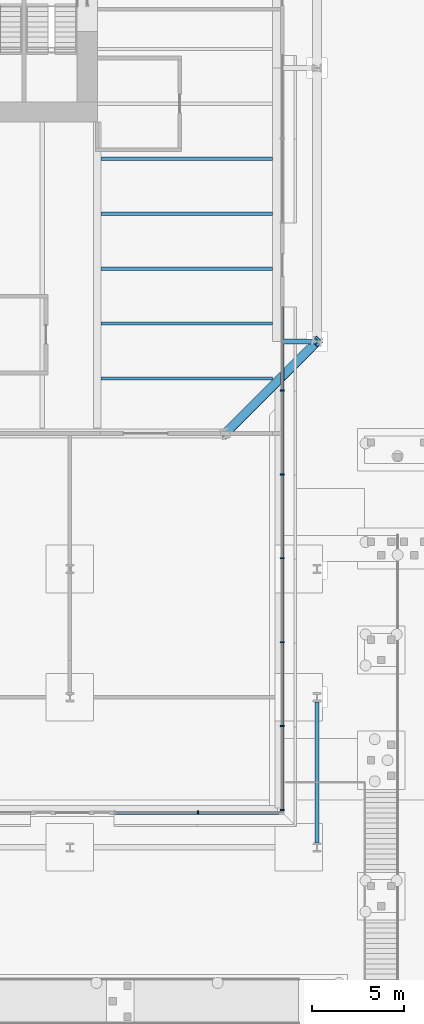
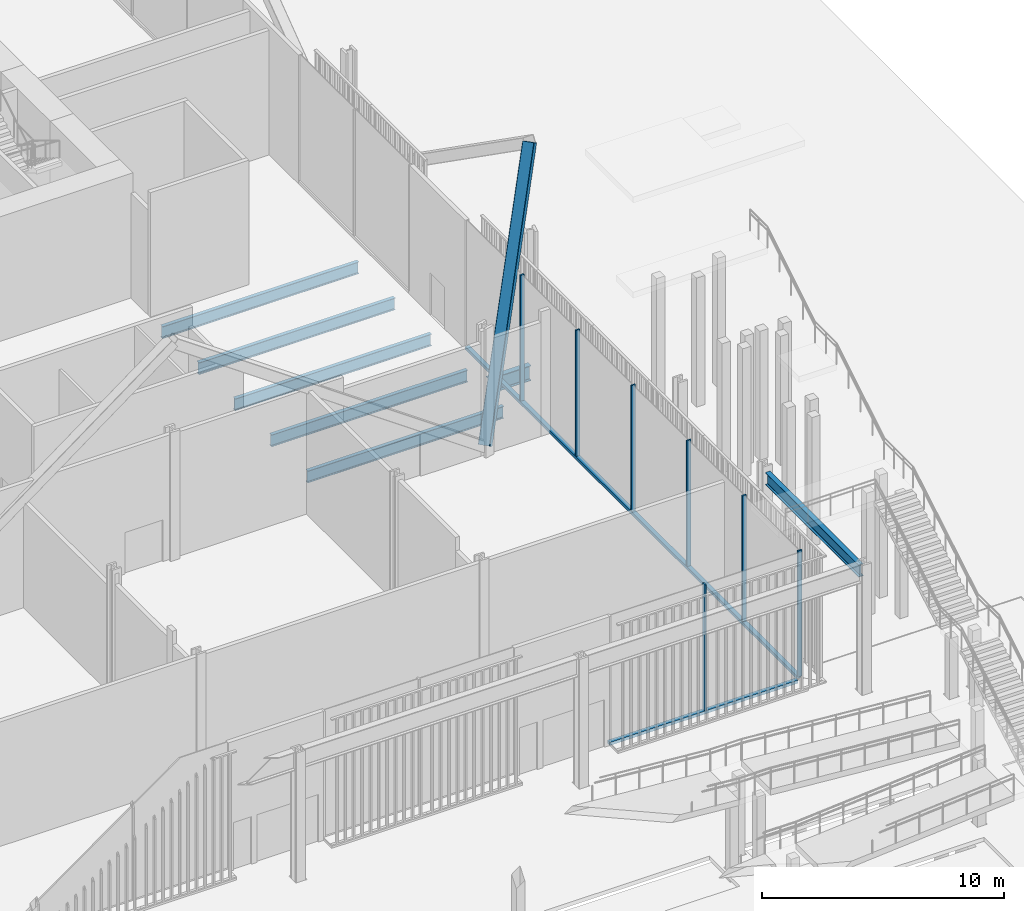
# One storey, part 7 of 28: 10 members, 7 beams, 2 elements without a shape of their own.
"""IFC4 building model written with IfcOpenShell, lengths in metres."""

from ifc_helpers import new_model, si_unit, direction, frame, origin, origin_2d, place, context, subcontext, project, spatial, rectangle, hollow_rectangle, i_section, extrude, material, layer, layer_set, material_profile, profile_set, type_object, element, aggregate, save


model = new_model("IFC4")

# Units and contexts
model_context = context("Model", 3, precision=1e-05, world=origin(), true_north=direction((0.0, 1.0)))
body_context = subcontext(model_context, "Body", "Model", "MODEL_VIEW")
ifc_project = project(units=[si_unit("LENGTHUNIT", "METRE"), si_unit("AREAUNIT", "SQUARE_METRE"), si_unit("VOLUMEUNIT", "CUBIC_METRE"), si_unit("PLANEANGLEUNIT", "RADIAN"), si_unit("MASSUNIT", "GRAM", prefix="KILO")], contexts=[model_context])

# Site, building, storey
site_placement = place(None, origin())
site = spatial("IfcSite", under=ifc_project, at=site_placement, CompositionType="ELEMENT")
building_placement = place(site_placement, origin())
building = spatial("IfcBuilding", under=site, at=building_placement, Name="Millrace Tower", CompositionType="ELEMENT")
storey_placement = place(building_placement, origin())
storey = spatial("IfcBuildingStorey", under=building, at=storey_placement, Name="L01", CompositionType="ELEMENT", Elevation=0.0)

# Curtain wall, member
ifc_material_1 = material(Name="Aluminium and glass", Category="aluminium")
ifc_layer = layer(ifc_material_1, 0.199951171875)
ifc_layer_set = layer_set([ifc_layer], Name="Aluminium and glass")
curtain_wall_type = type_object("IfcCurtainWallType", Name="CW-6 lobby and cascade wing storefront", PredefinedType="NOTDEFINED", material=ifc_layer_set)
placement = place(storey_placement, origin())
curtain_wall_1 = element("IfcCurtainWall", 1, at=placement, inside=storey, type_object=curtain_wall_type, Name="Curtain wall AW1-F01 L01", PredefinedType="NOTDEFINED")
ifc_material_2 = material(Name="Aluminium", Category="aluminium")
ifc_material_profile_1 = material_profile(ifc_material_2, rectangle(XDim=0.074951171875, YDim=0.199951171875, at=origin_2d()))
ifc_profile_set_1 = profile_set([ifc_material_profile_1], Name="Aluminium")
member_type_1 = type_object("IfcMemberType", Name="CW-6 lobby and cascade wing storefront mullion", PredefinedType="MULLION", material=ifc_profile_set_1)
member_1_placement = place(storey_placement, frame((20.491943359375, -47.699951171875, 0.14990234375), z_axis=(0.0, 0.0, 1.0), x_axis=(1.0, 0.0, 0.0)))
member_1 = element("IfcMember", 2, at=member_1_placement, type_object=member_type_1, Name="CW6 mullion AW1-F01.11", PredefinedType="MULLION", context=body_context, shape_type="SweptSolid", body=[
    extrude(rectangle(XDim=0.074951171875, YDim=0.199951171875, at=origin_2d()), origin(), (0.0, 0.0, 1.0), 6.35009765625),
])

# Curtain wall, members
curtain_wall_2 = element("IfcCurtainWall", 3, at=placement, inside=storey, type_object=curtain_wall_type, Name="Curtain wall AW1-F02 L01", PredefinedType="NOTDEFINED")
member_2_placement = place(storey_placement, frame((25.10009765625, -47.5625, 0.14990234375), z_axis=(0.0, 0.0, 1.0), x_axis=(0.0, 1.0, 0.0)))
member_2 = element("IfcMember", 4, at=member_2_placement, type_object=member_type_1, Name="CW6 mullion AW1-F02.1", PredefinedType="MULLION", context=body_context, shape_type="SweptSolid", body=[
    extrude(rectangle(XDim=0.074951171875, YDim=0.199951171875, at=origin_2d()), origin(), (0.0, 0.0, 1.0), 6.35009765625),
])
member_3_placement = place(storey_placement, frame((25.10009765625, -42.979248046875, 0.14990234375), z_axis=(0.0, 0.0, 1.0), x_axis=(0.0, 1.0, 0.0)))
member_3 = element("IfcMember", 5, at=member_3_placement, type_object=member_type_1, Name="CW6 mullion AW1-F02.2", PredefinedType="MULLION", context=body_context, shape_type="SweptSolid", body=[
    extrude(rectangle(XDim=0.074951171875, YDim=0.199951171875, at=origin_2d()), origin(), (0.0, 0.0, 1.0), 6.35009765625),
])
member_4_placement = place(storey_placement, frame((25.10009765625, -38.395751953125, 0.14990234375), z_axis=(0.0, 0.0, 1.0), x_axis=(0.0, 1.0, 0.0)))
member_4 = element("IfcMember", 6, at=member_4_placement, type_object=member_type_1, Name="CW6 mullion AW1-F02.3", PredefinedType="MULLION", context=body_context, shape_type="SweptSolid", body=[
    extrude(rectangle(XDim=0.074951171875, YDim=0.199951171875, at=origin_2d()), origin(), (0.0, 0.0, 1.0), 6.35009765625),
])
member_5_placement = place(storey_placement, frame((25.10009765625, -33.8125, 0.14990234375), z_axis=(0.0, 0.0, 1.0), x_axis=(0.0, 1.0, 0.0)))
member_5 = element("IfcMember", 7, at=member_5_placement, type_object=member_type_1, Name="CW6 mullion AW1-F02.4", PredefinedType="MULLION", context=body_context, shape_type="SweptSolid", body=[
    extrude(rectangle(XDim=0.074951171875, YDim=0.199951171875, at=origin_2d()), origin(), (0.0, 0.0, 1.0), 6.35009765625),
])
member_6_placement = place(storey_placement, frame((25.10009765625, -29.229248046875, 0.14990234375), z_axis=(0.0, 0.0, 1.0), x_axis=(0.0, 1.0, 0.0)))
member_6 = element("IfcMember", 8, at=member_6_placement, type_object=member_type_1, Name="CW6 mullion AW1-F02.5", PredefinedType="MULLION", context=body_context, shape_type="SweptSolid", body=[
    extrude(rectangle(XDim=0.074951171875, YDim=0.199951171875, at=origin_2d()), origin(), (0.0, 0.0, 1.0), 6.35009765625),
])
member_7_placement = place(storey_placement, frame((25.10009765625, -24.645751953125, 0.14990234375), z_axis=(0.0, 0.0, 1.0), x_axis=(0.0, 1.0, 0.0)))
member_7 = element("IfcMember", 9, at=member_7_placement, type_object=member_type_1, Name="CW6 mullion AW1-F02.6", PredefinedType="MULLION", context=body_context, shape_type="SweptSolid", body=[
    extrude(rectangle(XDim=0.074951171875, YDim=0.199951171875, at=origin_2d()), origin(), (0.0, 0.0, 1.0), 6.35009765625),
])

# Member
ifc_material_3 = material(Name="Aluminium", Category="aluminium")
ifc_material_profile_2 = material_profile(ifc_material_3, rectangle(XDim=0.199951171875, YDim=0.14990234375, at=origin_2d()))
ifc_profile_set_2 = profile_set([ifc_material_profile_2], Name="Aluminium")
member_type_2 = type_object("IfcMemberType", Name="CW-6 lobby and cascade wing storefront transom", PredefinedType="USERDEFINED", material=ifc_profile_set_2)
member_8_placement = place(storey_placement, frame((15.9091796875, -47.699951171875, 0.074951171875), z_axis=(1.0, 0.0, 0.0), x_axis=(0.0, 1.0, 0.0)))
member_8 = element("IfcMember", 10, at=member_8_placement, type_object=member_type_2, Name="CW6 transom AW1-F01.4", ObjectType="TRANSOM", PredefinedType="USERDEFINED", context=body_context, shape_type="SweptSolid", body=[
    extrude(rectangle(XDim=0.199951171875, YDim=0.14990234375, at=origin_2d()), origin(), (0.0, 0.0, 1.0), 8.99072265625),
])

aggregate(curtain_wall_1, [member_1, member_8])

member_9_placement = place(storey_placement, frame((25.10009765625, -47.5, 0.074951171875), z_axis=(0.0, 1.0, 0.0), x_axis=(-1.0, 0.0, 0.0)))
member_9 = element("IfcMember", 11, at=member_9_placement, type_object=member_type_2, Name="CW6 transom AW1-F02.1", ObjectType="TRANSOM", PredefinedType="USERDEFINED", context=body_context, shape_type="SweptSolid", body=[
    extrude(rectangle(XDim=0.199951171875, YDim=0.14990234375, at=origin_2d()), origin(), (0.0, 0.0, 1.0), 27.39990234375),
])

aggregate(curtain_wall_2, [member_2, member_3, member_4, member_5, member_6, member_7, member_9])

ifc_material_4 = material(Name="Steel ASTM A500 Grade C", Category="steel")
ifc_material_profile_3 = material_profile(ifc_material_4, hollow_rectangle(XDim=0.508056640625, YDim=0.508056640625, WallThickness=0.022216796875, InnerFilletRadius=0.01123046875, OuterFilletRadius=0.033447265625, at=origin_2d()))
ifc_profile_set_3 = profile_set([ifc_material_profile_3], Name="Steel ASTM A500 Grade C")
member_type_3 = type_object("IfcMemberType", Name="Exoskeleton brace HSS20x20x7/8", PredefinedType="BRACE", material=ifc_profile_set_3)
member_10_placement = place(storey_placement, frame((21.978515625, -27.0, 0.39990234375), z_axis=(0.396141533901, 0.396141533901, 0.828337956535), x_axis=(-0.707106781187, 0.707106781187, 0.0)))
element("IfcMember", 12, at=member_10_placement, inside=storey, type_object=member_type_3, Name="BRC-A-L01-05", PredefinedType="BRACE", context=body_context, shape_type="SweptSolid", body=[
    extrude(hollow_rectangle(XDim=0.508056640625, YDim=0.508056640625, WallThickness=0.022216796875, InnerFilletRadius=0.01123046875, OuterFilletRadius=0.033447265625, at=origin_2d()), origin(), (0.0, 0.0, 1.0), 12.676025390625),
])

# Beams
ifc_material_5 = material(Name="Steel ASTM A992 Grade 50", Category="steel")
ifc_material_profile_4 = material_profile(ifc_material_5, i_section(OverallWidth=0.177978515625, OverallDepth=0.599365234375, WebThickness=0.010009765625, FlangeThickness=0.012939453125, FilletRadius=0.012939453125, at=origin_2d()))
ifc_profile_set_4 = profile_set([ifc_material_profile_4], Name="Steel ASTM A992 Grade 50")
beam_type_1 = type_object("IfcBeamType", Name="Floor beam W24x55", PredefinedType="JOIST", material=ifc_profile_set_4)
beam_1_placement = place(storey_placement, frame((15.212158203125, -24.0, -0.599609375), z_axis=(1.0, 0.0, 0.0), x_axis=(0.0, 1.0, 0.0)))
element("IfcBeam", 13, at=beam_1_placement, inside=storey, type_object=beam_type_1, Name="BM-A-L01-S1-S002", PredefinedType="JOIST", context=body_context, shape_type="SweptSolid", body=[
    extrude(i_section(OverallWidth=0.177978515625, OverallDepth=0.599365234375, WebThickness=0.010009765625, FlangeThickness=0.012939453125, FilletRadius=0.012939453125, at=origin_2d()), origin(), (0.0, 0.0, 1.0), 9.342041015625),
])
for number, where, z_axis, x_axis, name in (
    (14, (15.212158203125, -21.0, -0.599609375), (1.0, 0.0, 0.0), (0.0, 1.0, 0.0), "BM-A-L01-S1-S004"),
    (15, (15.212158203125, -18.0, -0.599609375), (1.0, 0.0, 0.0), (0.0, 1.0, 0.0), "BM-A-L01-S1-S006"),
    (16, (15.212158203125, -15.0, -0.599609375), (1.0, 0.0, 0.0), (0.0, 1.0, 0.0), "BM-A-L01-S1-S008"),
    (17, (15.212158203125, -12.0, -0.599609375), (1.0, 0.0, 0.0), (0.0, 1.0, 0.0), "BM-A-L01-S1-S010"),
):
    element("IfcBeam", number, at=place(storey_placement, frame(where, z_axis=z_axis, x_axis=x_axis)), inside=storey, type_object=beam_type_1, Name=name, PredefinedType="JOIST", context=body_context, shape_type="SweptSolid", body=[
        extrude(i_section(OverallWidth=0.177978515625, OverallDepth=0.599365234375, WebThickness=0.010009765625, FlangeThickness=0.012939453125, FilletRadius=0.012939453125, at=origin_2d()), origin(), (0.0, 0.0, 1.0), 9.3662109375),
    ])
ifc_material_6 = material(Name="Steel ASTM A992 Grade 50", Category="steel")
ifc_material_profile_5 = material_profile(ifc_material_6, i_section(OverallWidth=0.2666015625, OverallDepth=0.7568359375, WebThickness=0.013916015625, FlangeThickness=0.019287109375, FilletRadius=0.0166015625, at=origin_2d()))
ifc_profile_set_5 = profile_set([ifc_material_profile_5], Name="Steel ASTM A992 Grade 50")
beam_type_2 = type_object("IfcBeamType", Name="Link beam W30x108", PredefinedType="BEAM", material=ifc_profile_set_5)
beam_2_placement = place(storey_placement, frame((25.0, -21.978515625, -0.678466796875), z_axis=(1.0, 0.0, 0.0), x_axis=(0.0, 1.0, 0.0)))
element("IfcBeam", 18, at=beam_2_placement, inside=storey, type_object=beam_type_2, Name="LNK-A-L01-S1-12", PredefinedType="BEAM", context=body_context, shape_type="SweptSolid", body=[
    extrude(i_section(OverallWidth=0.2666015625, OverallDepth=0.7568359375, WebThickness=0.013916015625, FlangeThickness=0.019287109375, FilletRadius=0.0166015625, at=origin_2d()), origin(), (0.0, 0.0, 1.0), 2.0),
])
ifc_material_7 = material(Name="Steel ASTM A992 Grade 50", Category="steel")
ifc_material_profile_6 = material_profile(ifc_material_7, i_section(OverallWidth=0.23046875, OverallDepth=0.6171875, WebThickness=0.01318359375, FlangeThickness=0.022216796875, FilletRadius=0.012939453125, at=origin_2d()))
ifc_profile_set_6 = profile_set([ifc_material_profile_6], Name="Steel ASTM A992 Grade 50")
beam_type_3 = type_object("IfcBeamType", Name="Terrace tie beam W24x94", PredefinedType="BEAM", material=ifc_profile_set_6)
beam_3_placement = place(storey_placement, frame((27.0, -49.35107421875, 5.891357421875), z_axis=(0.0, 1.0, 0.0), x_axis=(-1.0, 0.0, 0.0)))
element("IfcBeam", 19, at=beam_3_placement, inside=storey, type_object=beam_type_3, Name="BM-WING-L01-TIEE", PredefinedType="BEAM", context=body_context, shape_type="SweptSolid", body=[
    extrude(i_section(OverallWidth=0.23046875, OverallDepth=0.6171875, WebThickness=0.01318359375, FlangeThickness=0.022216796875, FilletRadius=0.012939453125, at=origin_2d()), origin(), (0.0, 0.0, 1.0), 7.7021484375),
])

save(model, "model.ifc")
